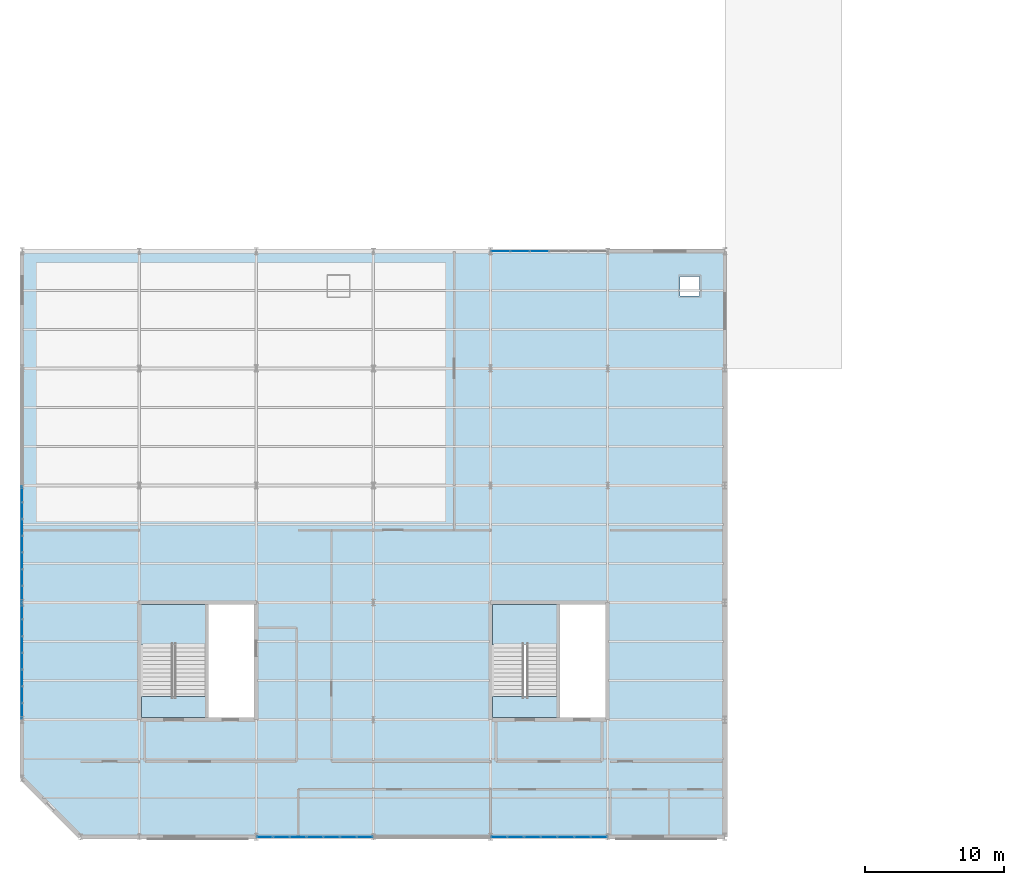
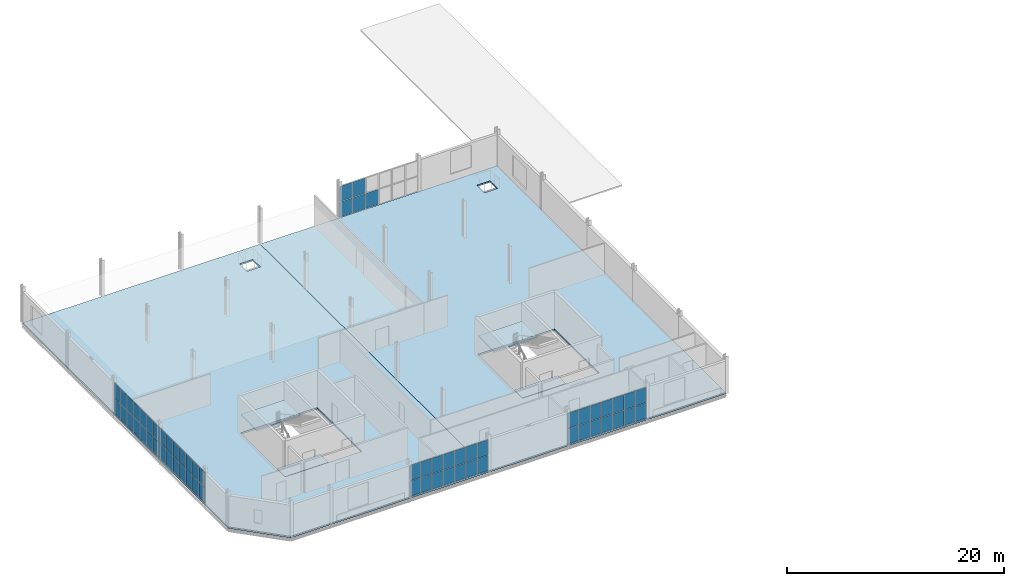
# One storey, part 36 of 69: 61 plates, 6 slabs, 7 elements without a shape of their own.
"""IFC4 building model written with IfcOpenShell, lengths in metres."""

from ifc_helpers import new_model, si_unit, direction, frame, origin, origin_2d, place, context, subcontext, project, spatial, polyline, rectangle, outline, extrude, material, layer, layer_set, type_object, element, aggregate, save


model = new_model("IFC4")

# Units and contexts
model_context = context("Model", 3, precision=1e-05, world=origin(), true_north=direction((0.0, 1.0)))
body_context = subcontext(model_context, "Body", "Model", "MODEL_VIEW")
ifc_project = project(units=[si_unit("LENGTHUNIT", "METRE"), si_unit("AREAUNIT", "SQUARE_METRE"), si_unit("VOLUMEUNIT", "CUBIC_METRE"), si_unit("PLANEANGLEUNIT", "RADIAN"), si_unit("MASSUNIT", "GRAM", prefix="KILO")], contexts=[model_context])

# Site, building, storey
site_placement = place(None, origin())
site = spatial("IfcSite", under=ifc_project, at=site_placement, CompositionType="ELEMENT")
building_placement = place(site_placement, origin())
building = spatial("IfcBuilding", under=site, at=building_placement, Name="Qalvenar Corner Mobility Hub", CompositionType="ELEMENT")
storey_placement = place(building_placement, frame((0.0, 0.0, 13.199951171875)))
storey = spatial("IfcBuildingStorey", under=building, at=storey_placement, Name="L03", CompositionType="ELEMENT", Elevation=13.199951171875)

# Curtain wall, plates
ifc_material_1 = material(Name="Anodised Aluminium and Low-E Glazing", Category="aluminium")
ifc_layer_1 = layer(ifc_material_1, 0.14990234375)
ifc_layer_set_1 = layer_set([ifc_layer_1], Name="Anodised Aluminium and Low-E Glazing")
curtain_wall_type = type_object("IfcCurtainWallType", Name="CW-CIV-84X40", PredefinedType="NOTDEFINED", material=ifc_layer_set_1)
curtain_wall_1_placement = place(storey_placement, origin())
curtain_wall_1 = element("IfcCurtainWall", 1, at=curtain_wall_1_placement, inside=storey, type_object=curtain_wall_type, Name="Glazed Curtain Wall CW-V3-L03-S2", PredefinedType="NOTDEFINED")
ifc_material_2 = material(Name="Solar-Control Low-E Double Glazing", Category="glass")
ifc_layer_2 = layer(ifc_material_2, 0.028076171875)
ifc_layer_set_2 = layer_set([ifc_layer_2], Name="Solar-Control Low-E Double Glazing")
plate_type = type_object("IfcPlateType", Name="PLT-CWP-GLZ1", PredefinedType="CURTAIN_PANEL", material=ifc_layer_set_2)
plate_1_placement = place(storey_placement, frame((17.4150390625, 0.0, 0.05517578125), z_axis=(0.0, 0.0, 1.0), x_axis=(1.0, 0.0, 0.0)))
plate_1 = element("IfcPlate", 2, at=plate_1_placement, type_object=plate_type, Name="CW-05 panel 1.1", PredefinedType="CURTAIN_PANEL", context=body_context, shape_type="SweptSolid", body=[
    extrude(rectangle(XDim=1.110107421875, YDim=0.028076171875, at=origin_2d()), origin(), (0.0, 0.0, 1.0), 1.702392578125),
])
plate_2_placement = place(storey_placement, frame((17.4150390625, 0.0, 1.8125), z_axis=(0.0, 0.0, 1.0), x_axis=(1.0, 0.0, 0.0)))
plate_2 = element("IfcPlate", 3, at=plate_2_placement, type_object=plate_type, Name="CW-05 panel 1.2", PredefinedType="CURTAIN_PANEL", context=body_context, shape_type="SweptSolid", body=[
    extrude(rectangle(XDim=1.110107421875, YDim=0.028076171875, at=origin_2d()), origin(), (0.0, 0.0, 1.0), 1.702392578125),
])
plate_3_placement = place(storey_placement, frame((18.60009765625, 0.0, 0.05517578125), z_axis=(0.0, 0.0, 1.0), x_axis=(1.0, 0.0, 0.0)))
plate_3 = element("IfcPlate", 4, at=plate_3_placement, type_object=plate_type, Name="CW-05 panel 2.1", PredefinedType="CURTAIN_PANEL", context=body_context, shape_type="SweptSolid", body=[
    extrude(rectangle(XDim=1.139892578125, YDim=0.028076171875, at=origin_2d()), origin(), (0.0, 0.0, 1.0), 1.702392578125),
])
plate_4_placement = place(storey_placement, frame((18.60009765625, 0.0, 1.8125), z_axis=(0.0, 0.0, 1.0), x_axis=(1.0, 0.0, 0.0)))
plate_4 = element("IfcPlate", 5, at=plate_4_placement, type_object=plate_type, Name="CW-05 panel 2.2", PredefinedType="CURTAIN_PANEL", context=body_context, shape_type="SweptSolid", body=[
    extrude(rectangle(XDim=1.139892578125, YDim=0.028076171875, at=origin_2d()), origin(), (0.0, 0.0, 1.0), 1.702392578125),
])
plate_5_placement = place(storey_placement, frame((19.800048828125, 0.0, 0.05517578125), z_axis=(0.0, 0.0, 1.0), x_axis=(1.0, 0.0, 0.0)))
plate_5 = element("IfcPlate", 6, at=plate_5_placement, type_object=plate_type, Name="CW-05 panel 3.1", PredefinedType="CURTAIN_PANEL", context=body_context, shape_type="SweptSolid", body=[
    extrude(rectangle(XDim=1.139892578125, YDim=0.028076171875, at=origin_2d()), origin(), (0.0, 0.0, 1.0), 1.702392578125),
])
plate_6_placement = place(storey_placement, frame((19.800048828125, 0.0, 1.8125), z_axis=(0.0, 0.0, 1.0), x_axis=(1.0, 0.0, 0.0)))
plate_6 = element("IfcPlate", 7, at=plate_6_placement, type_object=plate_type, Name="CW-05 panel 3.2", PredefinedType="CURTAIN_PANEL", context=body_context, shape_type="SweptSolid", body=[
    extrude(rectangle(XDim=1.139892578125, YDim=0.028076171875, at=origin_2d()), origin(), (0.0, 0.0, 1.0), 1.702392578125),
])
plate_7_placement = place(storey_placement, frame((21.0, 0.0, 0.05517578125), z_axis=(0.0, 0.0, 1.0), x_axis=(1.0, 0.0, 0.0)))
plate_7 = element("IfcPlate", 8, at=plate_7_placement, type_object=plate_type, Name="CW-05 panel 4.1", PredefinedType="CURTAIN_PANEL", context=body_context, shape_type="SweptSolid", body=[
    extrude(rectangle(XDim=1.139892578125, YDim=0.028076171875, at=origin_2d()), origin(), (0.0, 0.0, 1.0), 1.702392578125),
])
plate_8_placement = place(storey_placement, frame((21.0, 0.0, 1.8125), z_axis=(0.0, 0.0, 1.0), x_axis=(1.0, 0.0, 0.0)))
plate_8 = element("IfcPlate", 9, at=plate_8_placement, type_object=plate_type, Name="CW-05 panel 4.2", PredefinedType="CURTAIN_PANEL", context=body_context, shape_type="SweptSolid", body=[
    extrude(rectangle(XDim=1.139892578125, YDim=0.028076171875, at=origin_2d()), origin(), (0.0, 0.0, 1.0), 1.702392578125),
])
plate_9_placement = place(storey_placement, frame((22.199951171875, 0.0, 0.05517578125), z_axis=(0.0, 0.0, 1.0), x_axis=(1.0, 0.0, 0.0)))
plate_9 = element("IfcPlate", 10, at=plate_9_placement, type_object=plate_type, Name="CW-05 panel 5.1", PredefinedType="CURTAIN_PANEL", context=body_context, shape_type="SweptSolid", body=[
    extrude(rectangle(XDim=1.139892578125, YDim=0.028076171875, at=origin_2d()), origin(), (0.0, 0.0, 1.0), 1.702392578125),
])
plate_10_placement = place(storey_placement, frame((22.199951171875, 0.0, 1.8125), z_axis=(0.0, 0.0, 1.0), x_axis=(1.0, 0.0, 0.0)))
plate_10 = element("IfcPlate", 11, at=plate_10_placement, type_object=plate_type, Name="CW-05 panel 5.2", PredefinedType="CURTAIN_PANEL", context=body_context, shape_type="SweptSolid", body=[
    extrude(rectangle(XDim=1.139892578125, YDim=0.028076171875, at=origin_2d()), origin(), (0.0, 0.0, 1.0), 1.702392578125),
])
plate_11_placement = place(storey_placement, frame((23.39990234375, 0.0, 0.05517578125), z_axis=(0.0, 0.0, 1.0), x_axis=(1.0, 0.0, 0.0)))
plate_11 = element("IfcPlate", 12, at=plate_11_placement, type_object=plate_type, Name="CW-05 panel 6.1", PredefinedType="CURTAIN_PANEL", context=body_context, shape_type="SweptSolid", body=[
    extrude(rectangle(XDim=1.139892578125, YDim=0.028076171875, at=origin_2d()), origin(), (0.0, 0.0, 1.0), 1.702392578125),
])
plate_12_placement = place(storey_placement, frame((23.39990234375, 0.0, 1.8125), z_axis=(0.0, 0.0, 1.0), x_axis=(1.0, 0.0, 0.0)))
plate_12 = element("IfcPlate", 13, at=plate_12_placement, type_object=plate_type, Name="CW-05 panel 6.2", PredefinedType="CURTAIN_PANEL", context=body_context, shape_type="SweptSolid", body=[
    extrude(rectangle(XDim=1.139892578125, YDim=0.028076171875, at=origin_2d()), origin(), (0.0, 0.0, 1.0), 1.702392578125),
])
plate_13_placement = place(storey_placement, frame((24.5849609375, 0.0, 0.05517578125), z_axis=(0.0, 0.0, 1.0), x_axis=(1.0, 0.0, 0.0)))
plate_13 = element("IfcPlate", 14, at=plate_13_placement, type_object=plate_type, Name="CW-05 panel 7.1", PredefinedType="CURTAIN_PANEL", context=body_context, shape_type="SweptSolid", body=[
    extrude(rectangle(XDim=1.110107421875, YDim=0.028076171875, at=origin_2d()), origin(), (0.0, 0.0, 1.0), 1.702392578125),
])
plate_14_placement = place(storey_placement, frame((24.5849609375, 0.0, 1.8125), z_axis=(0.0, 0.0, 1.0), x_axis=(1.0, 0.0, 0.0)))
plate_14 = element("IfcPlate", 15, at=plate_14_placement, type_object=plate_type, Name="CW-05 panel 7.2", PredefinedType="CURTAIN_PANEL", context=body_context, shape_type="SweptSolid", body=[
    extrude(rectangle(XDim=1.110107421875, YDim=0.028076171875, at=origin_2d()), origin(), (0.0, 0.0, 1.0), 1.702392578125),
])
aggregate(curtain_wall_1, [plate_1, plate_2, plate_3, plate_4, plate_5, plate_6, plate_7, plate_8, plate_9, plate_10, plate_11, plate_12, plate_13, plate_14])

curtain_wall_2_placement = place(storey_placement, origin())
curtain_wall_2 = element("IfcCurtainWall", 16, at=curtain_wall_2_placement, inside=storey, type_object=curtain_wall_type, Name="Glazed Curtain Wall CW-V3-L03-S4", PredefinedType="NOTDEFINED")
plate_15_placement = place(storey_placement, frame((34.215087890625, 0.0, 0.05517578125), z_axis=(0.0, 0.0, 1.0), x_axis=(1.0, 0.0, 0.0)))
plate_15 = element("IfcPlate", 17, at=plate_15_placement, type_object=plate_type, Name="CW-05 panel 1.1", PredefinedType="CURTAIN_PANEL", context=body_context, shape_type="SweptSolid", body=[
    extrude(rectangle(XDim=1.110107421875, YDim=0.028076171875, at=origin_2d()), origin(), (0.0, 0.0, 1.0), 1.702392578125),
])
plate_16_placement = place(storey_placement, frame((34.215087890625, 0.0, 1.8125), z_axis=(0.0, 0.0, 1.0), x_axis=(1.0, 0.0, 0.0)))
plate_16 = element("IfcPlate", 18, at=plate_16_placement, type_object=plate_type, Name="CW-05 panel 1.2", PredefinedType="CURTAIN_PANEL", context=body_context, shape_type="SweptSolid", body=[
    extrude(rectangle(XDim=1.110107421875, YDim=0.028076171875, at=origin_2d()), origin(), (0.0, 0.0, 1.0), 1.702392578125),
])
plate_17_placement = place(storey_placement, frame((35.39990234375, 0.0, 0.05517578125), z_axis=(0.0, 0.0, 1.0), x_axis=(1.0, 0.0, 0.0)))
plate_17 = element("IfcPlate", 19, at=plate_17_placement, type_object=plate_type, Name="CW-05 panel 2.1", PredefinedType="CURTAIN_PANEL", context=body_context, shape_type="SweptSolid", body=[
    extrude(rectangle(XDim=1.139892578125, YDim=0.028076171875, at=origin_2d()), origin(), (0.0, 0.0, 1.0), 1.702392578125),
])
plate_18_placement = place(storey_placement, frame((35.39990234375, 0.0, 1.8125), z_axis=(0.0, 0.0, 1.0), x_axis=(1.0, 0.0, 0.0)))
plate_18 = element("IfcPlate", 20, at=plate_18_placement, type_object=plate_type, Name="CW-05 panel 2.2", PredefinedType="CURTAIN_PANEL", context=body_context, shape_type="SweptSolid", body=[
    extrude(rectangle(XDim=1.139892578125, YDim=0.028076171875, at=origin_2d()), origin(), (0.0, 0.0, 1.0), 1.702392578125),
])
plate_19_placement = place(storey_placement, frame((36.60009765625, 0.0, 0.05517578125), z_axis=(0.0, 0.0, 1.0), x_axis=(1.0, 0.0, 0.0)))
plate_19 = element("IfcPlate", 21, at=plate_19_placement, type_object=plate_type, Name="CW-05 panel 3.1", PredefinedType="CURTAIN_PANEL", context=body_context, shape_type="SweptSolid", body=[
    extrude(rectangle(XDim=1.139892578125, YDim=0.028076171875, at=origin_2d()), origin(), (0.0, 0.0, 1.0), 1.702392578125),
])
plate_20_placement = place(storey_placement, frame((36.60009765625, 0.0, 1.8125), z_axis=(0.0, 0.0, 1.0), x_axis=(1.0, 0.0, 0.0)))
plate_20 = element("IfcPlate", 22, at=plate_20_placement, type_object=plate_type, Name="CW-05 panel 3.2", PredefinedType="CURTAIN_PANEL", context=body_context, shape_type="SweptSolid", body=[
    extrude(rectangle(XDim=1.139892578125, YDim=0.028076171875, at=origin_2d()), origin(), (0.0, 0.0, 1.0), 1.702392578125),
])
plate_21_placement = place(storey_placement, frame((37.800048828125, 0.0, 0.05517578125), z_axis=(0.0, 0.0, 1.0), x_axis=(1.0, 0.0, 0.0)))
plate_21 = element("IfcPlate", 23, at=plate_21_placement, type_object=plate_type, Name="CW-05 panel 4.1", PredefinedType="CURTAIN_PANEL", context=body_context, shape_type="SweptSolid", body=[
    extrude(rectangle(XDim=1.139892578125, YDim=0.028076171875, at=origin_2d()), origin(), (0.0, 0.0, 1.0), 1.702392578125),
])
plate_22_placement = place(storey_placement, frame((37.800048828125, 0.0, 1.8125), z_axis=(0.0, 0.0, 1.0), x_axis=(1.0, 0.0, 0.0)))
plate_22 = element("IfcPlate", 24, at=plate_22_placement, type_object=plate_type, Name="CW-05 panel 4.2", PredefinedType="CURTAIN_PANEL", context=body_context, shape_type="SweptSolid", body=[
    extrude(rectangle(XDim=1.139892578125, YDim=0.028076171875, at=origin_2d()), origin(), (0.0, 0.0, 1.0), 1.702392578125),
])
plate_23_placement = place(storey_placement, frame((39.0, 0.0, 0.05517578125), z_axis=(0.0, 0.0, 1.0), x_axis=(1.0, 0.0, 0.0)))
plate_23 = element("IfcPlate", 25, at=plate_23_placement, type_object=plate_type, Name="CW-05 panel 5.1", PredefinedType="CURTAIN_PANEL", context=body_context, shape_type="SweptSolid", body=[
    extrude(rectangle(XDim=1.139892578125, YDim=0.028076171875, at=origin_2d()), origin(), (0.0, 0.0, 1.0), 1.702392578125),
])
plate_24_placement = place(storey_placement, frame((39.0, 0.0, 1.8125), z_axis=(0.0, 0.0, 1.0), x_axis=(1.0, 0.0, 0.0)))
plate_24 = element("IfcPlate", 26, at=plate_24_placement, type_object=plate_type, Name="CW-05 panel 5.2", PredefinedType="CURTAIN_PANEL", context=body_context, shape_type="SweptSolid", body=[
    extrude(rectangle(XDim=1.139892578125, YDim=0.028076171875, at=origin_2d()), origin(), (0.0, 0.0, 1.0), 1.702392578125),
])
plate_25_placement = place(storey_placement, frame((40.199951171875, 0.0, 0.05517578125), z_axis=(0.0, 0.0, 1.0), x_axis=(1.0, 0.0, 0.0)))
plate_25 = element("IfcPlate", 27, at=plate_25_placement, type_object=plate_type, Name="CW-05 panel 6.1", PredefinedType="CURTAIN_PANEL", context=body_context, shape_type="SweptSolid", body=[
    extrude(rectangle(XDim=1.139892578125, YDim=0.028076171875, at=origin_2d()), origin(), (0.0, 0.0, 1.0), 1.702392578125),
])
plate_26_placement = place(storey_placement, frame((40.199951171875, 0.0, 1.8125), z_axis=(0.0, 0.0, 1.0), x_axis=(1.0, 0.0, 0.0)))
plate_26 = element("IfcPlate", 28, at=plate_26_placement, type_object=plate_type, Name="CW-05 panel 6.2", PredefinedType="CURTAIN_PANEL", context=body_context, shape_type="SweptSolid", body=[
    extrude(rectangle(XDim=1.139892578125, YDim=0.028076171875, at=origin_2d()), origin(), (0.0, 0.0, 1.0), 1.702392578125),
])
plate_27_placement = place(storey_placement, frame((41.385009765625, 0.0, 0.05517578125), z_axis=(0.0, 0.0, 1.0), x_axis=(1.0, 0.0, 0.0)))
plate_27 = element("IfcPlate", 29, at=plate_27_placement, type_object=plate_type, Name="CW-05 panel 7.1", PredefinedType="CURTAIN_PANEL", context=body_context, shape_type="SweptSolid", body=[
    extrude(rectangle(XDim=1.110107421875, YDim=0.028076171875, at=origin_2d()), origin(), (0.0, 0.0, 1.0), 1.702392578125),
])
plate_28_placement = place(storey_placement, frame((41.385009765625, 0.0, 1.8125), z_axis=(0.0, 0.0, 1.0), x_axis=(1.0, 0.0, 0.0)))
plate_28 = element("IfcPlate", 30, at=plate_28_placement, type_object=plate_type, Name="CW-05 panel 7.2", PredefinedType="CURTAIN_PANEL", context=body_context, shape_type="SweptSolid", body=[
    extrude(rectangle(XDim=1.110107421875, YDim=0.028076171875, at=origin_2d()), origin(), (0.0, 0.0, 1.0), 1.702392578125),
])
aggregate(curtain_wall_2, [plate_15, plate_16, plate_17, plate_18, plate_19, plate_20, plate_21, plate_22, plate_23, plate_24, plate_25, plate_26, plate_27, plate_28])

curtain_wall_3_placement = place(storey_placement, origin())
curtain_wall_3 = element("IfcCurtainWall", 31, at=curtain_wall_3_placement, inside=storey, type_object=curtain_wall_type, Name="Glazed Curtain Wall CW-V3-L03-W1", PredefinedType="NOTDEFINED")
plate_29_placement = place(storey_placement, frame((0.0, 16.18505859375, 0.05517578125), z_axis=(0.0, 0.0, 1.0), x_axis=(0.0, -1.0, 0.0)))
plate_29 = element("IfcPlate", 32, at=plate_29_placement, type_object=plate_type, Name="CW-05 panel 1.1", PredefinedType="CURTAIN_PANEL", context=body_context, shape_type="SweptSolid", body=[
    extrude(rectangle(XDim=1.110107421875, YDim=0.028076171875, at=origin_2d()), origin(), (0.0, 0.0, 1.0), 1.702392578125),
])
plate_30_placement = place(storey_placement, frame((0.0, 16.18505859375, 1.8125), z_axis=(0.0, 0.0, 1.0), x_axis=(0.0, -1.0, 0.0)))
plate_30 = element("IfcPlate", 33, at=plate_30_placement, type_object=plate_type, Name="CW-05 panel 1.2", PredefinedType="CURTAIN_PANEL", context=body_context, shape_type="SweptSolid", body=[
    extrude(rectangle(XDim=1.110107421875, YDim=0.028076171875, at=origin_2d()), origin(), (0.0, 0.0, 1.0), 1.702392578125),
])
plate_31_placement = place(storey_placement, frame((0.0, 15.0, 0.05517578125), z_axis=(0.0, 0.0, 1.0), x_axis=(0.0, -1.0, 0.0)))
plate_31 = element("IfcPlate", 34, at=plate_31_placement, type_object=plate_type, Name="CW-05 panel 2.1", PredefinedType="CURTAIN_PANEL", context=body_context, shape_type="SweptSolid", body=[
    extrude(rectangle(XDim=1.139892578125, YDim=0.028076171875, at=origin_2d()), origin(), (0.0, 0.0, 1.0), 1.702392578125),
])
plate_32_placement = place(storey_placement, frame((0.0, 15.0, 1.8125), z_axis=(0.0, 0.0, 1.0), x_axis=(0.0, -1.0, 0.0)))
plate_32 = element("IfcPlate", 35, at=plate_32_placement, type_object=plate_type, Name="CW-05 panel 2.2", PredefinedType="CURTAIN_PANEL", context=body_context, shape_type="SweptSolid", body=[
    extrude(rectangle(XDim=1.139892578125, YDim=0.028076171875, at=origin_2d()), origin(), (0.0, 0.0, 1.0), 1.702392578125),
])
plate_33_placement = place(storey_placement, frame((0.0, 13.800048828125, 0.05517578125), z_axis=(0.0, 0.0, 1.0), x_axis=(0.0, -1.0, 0.0)))
plate_33 = element("IfcPlate", 36, at=plate_33_placement, type_object=plate_type, Name="CW-05 panel 3.1", PredefinedType="CURTAIN_PANEL", context=body_context, shape_type="SweptSolid", body=[
    extrude(rectangle(XDim=1.139892578125, YDim=0.028076171875, at=origin_2d()), origin(), (0.0, 0.0, 1.0), 1.702392578125),
])
plate_34_placement = place(storey_placement, frame((0.0, 13.800048828125, 1.8125), z_axis=(0.0, 0.0, 1.0), x_axis=(0.0, -1.0, 0.0)))
plate_34 = element("IfcPlate", 37, at=plate_34_placement, type_object=plate_type, Name="CW-05 panel 3.2", PredefinedType="CURTAIN_PANEL", context=body_context, shape_type="SweptSolid", body=[
    extrude(rectangle(XDim=1.139892578125, YDim=0.028076171875, at=origin_2d()), origin(), (0.0, 0.0, 1.0), 1.702392578125),
])
plate_35_placement = place(storey_placement, frame((0.0, 12.60009765625, 0.05517578125), z_axis=(0.0, 0.0, 1.0), x_axis=(0.0, -1.0, 0.0)))
plate_35 = element("IfcPlate", 38, at=plate_35_placement, type_object=plate_type, Name="CW-05 panel 4.1", PredefinedType="CURTAIN_PANEL", context=body_context, shape_type="SweptSolid", body=[
    extrude(rectangle(XDim=1.139892578125, YDim=0.028076171875, at=origin_2d()), origin(), (0.0, 0.0, 1.0), 1.702392578125),
])
plate_36_placement = place(storey_placement, frame((0.0, 12.60009765625, 1.8125), z_axis=(0.0, 0.0, 1.0), x_axis=(0.0, -1.0, 0.0)))
plate_36 = element("IfcPlate", 39, at=plate_36_placement, type_object=plate_type, Name="CW-05 panel 4.2", PredefinedType="CURTAIN_PANEL", context=body_context, shape_type="SweptSolid", body=[
    extrude(rectangle(XDim=1.139892578125, YDim=0.028076171875, at=origin_2d()), origin(), (0.0, 0.0, 1.0), 1.702392578125),
])
plate_37_placement = place(storey_placement, frame((0.0, 11.39990234375, 0.05517578125), z_axis=(0.0, 0.0, 1.0), x_axis=(0.0, -1.0, 0.0)))
plate_37 = element("IfcPlate", 40, at=plate_37_placement, type_object=plate_type, Name="CW-05 panel 5.1", PredefinedType="CURTAIN_PANEL", context=body_context, shape_type="SweptSolid", body=[
    extrude(rectangle(XDim=1.139892578125, YDim=0.028076171875, at=origin_2d()), origin(), (0.0, 0.0, 1.0), 1.702392578125),
])
plate_38_placement = place(storey_placement, frame((0.0, 11.39990234375, 1.8125), z_axis=(0.0, 0.0, 1.0), x_axis=(0.0, -1.0, 0.0)))
plate_38 = element("IfcPlate", 41, at=plate_38_placement, type_object=plate_type, Name="CW-05 panel 5.2", PredefinedType="CURTAIN_PANEL", context=body_context, shape_type="SweptSolid", body=[
    extrude(rectangle(XDim=1.139892578125, YDim=0.028076171875, at=origin_2d()), origin(), (0.0, 0.0, 1.0), 1.702392578125),
])
plate_39_placement = place(storey_placement, frame((0.0, 10.199951171875, 0.05517578125), z_axis=(0.0, 0.0, 1.0), x_axis=(0.0, -1.0, 0.0)))
plate_39 = element("IfcPlate", 42, at=plate_39_placement, type_object=plate_type, Name="CW-05 panel 6.1", PredefinedType="CURTAIN_PANEL", context=body_context, shape_type="SweptSolid", body=[
    extrude(rectangle(XDim=1.139892578125, YDim=0.028076171875, at=origin_2d()), origin(), (0.0, 0.0, 1.0), 1.702392578125),
])
plate_40_placement = place(storey_placement, frame((0.0, 10.199951171875, 1.8125), z_axis=(0.0, 0.0, 1.0), x_axis=(0.0, -1.0, 0.0)))
plate_40 = element("IfcPlate", 43, at=plate_40_placement, type_object=plate_type, Name="CW-05 panel 6.2", PredefinedType="CURTAIN_PANEL", context=body_context, shape_type="SweptSolid", body=[
    extrude(rectangle(XDim=1.139892578125, YDim=0.028076171875, at=origin_2d()), origin(), (0.0, 0.0, 1.0), 1.702392578125),
])
plate_41_placement = place(storey_placement, frame((0.0, 9.014892578125, 0.05517578125), z_axis=(0.0, 0.0, 1.0), x_axis=(0.0, -1.0, 0.0)))
plate_41 = element("IfcPlate", 44, at=plate_41_placement, type_object=plate_type, Name="CW-05 panel 7.1", PredefinedType="CURTAIN_PANEL", context=body_context, shape_type="SweptSolid", body=[
    extrude(rectangle(XDim=1.110107421875, YDim=0.028076171875, at=origin_2d()), origin(), (0.0, 0.0, 1.0), 1.702392578125),
])
plate_42_placement = place(storey_placement, frame((0.0, 9.014892578125, 1.8125), z_axis=(0.0, 0.0, 1.0), x_axis=(0.0, -1.0, 0.0)))
plate_42 = element("IfcPlate", 45, at=plate_42_placement, type_object=plate_type, Name="CW-05 panel 7.2", PredefinedType="CURTAIN_PANEL", context=body_context, shape_type="SweptSolid", body=[
    extrude(rectangle(XDim=1.110107421875, YDim=0.028076171875, at=origin_2d()), origin(), (0.0, 0.0, 1.0), 1.702392578125),
])
aggregate(curtain_wall_3, [plate_29, plate_30, plate_31, plate_32, plate_33, plate_34, plate_35, plate_36, plate_37, plate_38, plate_39, plate_40, plate_41, plate_42])

curtain_wall_4_placement = place(storey_placement, origin())
curtain_wall_4 = element("IfcCurtainWall", 46, at=curtain_wall_4_placement, inside=storey, type_object=curtain_wall_type, Name="Glazed Curtain Wall CW-V3-L03-W2", PredefinedType="NOTDEFINED")
plate_43_placement = place(storey_placement, frame((0.0, 24.5849609375, 0.05517578125), z_axis=(0.0, 0.0, 1.0), x_axis=(0.0, -1.0, 0.0)))
plate_43 = element("IfcPlate", 47, at=plate_43_placement, type_object=plate_type, Name="CW-05 panel 1.1", PredefinedType="CURTAIN_PANEL", context=body_context, shape_type="SweptSolid", body=[
    extrude(rectangle(XDim=1.110107421875, YDim=0.028076171875, at=origin_2d()), origin(), (0.0, 0.0, 1.0), 1.702392578125),
])
plate_44_placement = place(storey_placement, frame((0.0, 24.5849609375, 1.8125), z_axis=(0.0, 0.0, 1.0), x_axis=(0.0, -1.0, 0.0)))
plate_44 = element("IfcPlate", 48, at=plate_44_placement, type_object=plate_type, Name="CW-05 panel 1.2", PredefinedType="CURTAIN_PANEL", context=body_context, shape_type="SweptSolid", body=[
    extrude(rectangle(XDim=1.110107421875, YDim=0.028076171875, at=origin_2d()), origin(), (0.0, 0.0, 1.0), 1.702392578125),
])
plate_45_placement = place(storey_placement, frame((0.0, 23.39990234375, 0.05517578125), z_axis=(0.0, 0.0, 1.0), x_axis=(0.0, -1.0, 0.0)))
plate_45 = element("IfcPlate", 49, at=plate_45_placement, type_object=plate_type, Name="CW-05 panel 2.1", PredefinedType="CURTAIN_PANEL", context=body_context, shape_type="SweptSolid", body=[
    extrude(rectangle(XDim=1.139892578125, YDim=0.028076171875, at=origin_2d()), origin(), (0.0, 0.0, 1.0), 1.702392578125),
])
plate_46_placement = place(storey_placement, frame((0.0, 23.39990234375, 1.8125), z_axis=(0.0, 0.0, 1.0), x_axis=(0.0, -1.0, 0.0)))
plate_46 = element("IfcPlate", 50, at=plate_46_placement, type_object=plate_type, Name="CW-05 panel 2.2", PredefinedType="CURTAIN_PANEL", context=body_context, shape_type="SweptSolid", body=[
    extrude(rectangle(XDim=1.139892578125, YDim=0.028076171875, at=origin_2d()), origin(), (0.0, 0.0, 1.0), 1.702392578125),
])
plate_47_placement = place(storey_placement, frame((0.0, 22.199951171875, 0.05517578125), z_axis=(0.0, 0.0, 1.0), x_axis=(0.0, -1.0, 0.0)))
plate_47 = element("IfcPlate", 51, at=plate_47_placement, type_object=plate_type, Name="CW-05 panel 3.1", PredefinedType="CURTAIN_PANEL", context=body_context, shape_type="SweptSolid", body=[
    extrude(rectangle(XDim=1.139892578125, YDim=0.028076171875, at=origin_2d()), origin(), (0.0, 0.0, 1.0), 1.702392578125),
])
plate_48_placement = place(storey_placement, frame((0.0, 22.199951171875, 1.8125), z_axis=(0.0, 0.0, 1.0), x_axis=(0.0, -1.0, 0.0)))
plate_48 = element("IfcPlate", 52, at=plate_48_placement, type_object=plate_type, Name="CW-05 panel 3.2", PredefinedType="CURTAIN_PANEL", context=body_context, shape_type="SweptSolid", body=[
    extrude(rectangle(XDim=1.139892578125, YDim=0.028076171875, at=origin_2d()), origin(), (0.0, 0.0, 1.0), 1.702392578125),
])
plate_49_placement = place(storey_placement, frame((0.0, 21.0, 0.05517578125), z_axis=(0.0, 0.0, 1.0), x_axis=(0.0, -1.0, 0.0)))
plate_49 = element("IfcPlate", 53, at=plate_49_placement, type_object=plate_type, Name="CW-05 panel 4.1", PredefinedType="CURTAIN_PANEL", context=body_context, shape_type="SweptSolid", body=[
    extrude(rectangle(XDim=1.139892578125, YDim=0.028076171875, at=origin_2d()), origin(), (0.0, 0.0, 1.0), 1.702392578125),
])
plate_50_placement = place(storey_placement, frame((0.0, 21.0, 1.8125), z_axis=(0.0, 0.0, 1.0), x_axis=(0.0, -1.0, 0.0)))
plate_50 = element("IfcPlate", 54, at=plate_50_placement, type_object=plate_type, Name="CW-05 panel 4.2", PredefinedType="CURTAIN_PANEL", context=body_context, shape_type="SweptSolid", body=[
    extrude(rectangle(XDim=1.139892578125, YDim=0.028076171875, at=origin_2d()), origin(), (0.0, 0.0, 1.0), 1.702392578125),
])
plate_51_placement = place(storey_placement, frame((0.0, 19.800048828125, 0.05517578125), z_axis=(0.0, 0.0, 1.0), x_axis=(0.0, -1.0, 0.0)))
plate_51 = element("IfcPlate", 55, at=plate_51_placement, type_object=plate_type, Name="CW-05 panel 5.1", PredefinedType="CURTAIN_PANEL", context=body_context, shape_type="SweptSolid", body=[
    extrude(rectangle(XDim=1.139892578125, YDim=0.028076171875, at=origin_2d()), origin(), (0.0, 0.0, 1.0), 1.702392578125),
])
plate_52_placement = place(storey_placement, frame((0.0, 19.800048828125, 1.8125), z_axis=(0.0, 0.0, 1.0), x_axis=(0.0, -1.0, 0.0)))
plate_52 = element("IfcPlate", 56, at=plate_52_placement, type_object=plate_type, Name="CW-05 panel 5.2", PredefinedType="CURTAIN_PANEL", context=body_context, shape_type="SweptSolid", body=[
    extrude(rectangle(XDim=1.139892578125, YDim=0.028076171875, at=origin_2d()), origin(), (0.0, 0.0, 1.0), 1.702392578125),
])
plate_53_placement = place(storey_placement, frame((0.0, 18.60009765625, 0.05517578125), z_axis=(0.0, 0.0, 1.0), x_axis=(0.0, -1.0, 0.0)))
plate_53 = element("IfcPlate", 57, at=plate_53_placement, type_object=plate_type, Name="CW-05 panel 6.1", PredefinedType="CURTAIN_PANEL", context=body_context, shape_type="SweptSolid", body=[
    extrude(rectangle(XDim=1.139892578125, YDim=0.028076171875, at=origin_2d()), origin(), (0.0, 0.0, 1.0), 1.702392578125),
])
plate_54_placement = place(storey_placement, frame((0.0, 18.60009765625, 1.8125), z_axis=(0.0, 0.0, 1.0), x_axis=(0.0, -1.0, 0.0)))
plate_54 = element("IfcPlate", 58, at=plate_54_placement, type_object=plate_type, Name="CW-05 panel 6.2", PredefinedType="CURTAIN_PANEL", context=body_context, shape_type="SweptSolid", body=[
    extrude(rectangle(XDim=1.139892578125, YDim=0.028076171875, at=origin_2d()), origin(), (0.0, 0.0, 1.0), 1.702392578125),
])
plate_55_placement = place(storey_placement, frame((0.0, 17.4150390625, 0.05517578125), z_axis=(0.0, 0.0, 1.0), x_axis=(0.0, -1.0, 0.0)))
plate_55 = element("IfcPlate", 59, at=plate_55_placement, type_object=plate_type, Name="CW-05 panel 7.1", PredefinedType="CURTAIN_PANEL", context=body_context, shape_type="SweptSolid", body=[
    extrude(rectangle(XDim=1.110107421875, YDim=0.028076171875, at=origin_2d()), origin(), (0.0, 0.0, 1.0), 1.702392578125),
])
plate_56_placement = place(storey_placement, frame((0.0, 17.4150390625, 1.8125), z_axis=(0.0, 0.0, 1.0), x_axis=(0.0, -1.0, 0.0)))
plate_56 = element("IfcPlate", 60, at=plate_56_placement, type_object=plate_type, Name="CW-05 panel 7.2", PredefinedType="CURTAIN_PANEL", context=body_context, shape_type="SweptSolid", body=[
    extrude(rectangle(XDim=1.110107421875, YDim=0.028076171875, at=origin_2d()), origin(), (0.0, 0.0, 1.0), 1.702392578125),
])
aggregate(curtain_wall_4, [plate_43, plate_44, plate_45, plate_46, plate_47, plate_48, plate_49, plate_50, plate_51, plate_52, plate_53, plate_54, plate_55, plate_56])

curtain_wall_5_placement = place(storey_placement, origin())
curtain_wall_5 = element("IfcCurtainWall", 61, at=curtain_wall_5_placement, inside=storey, type_object=curtain_wall_type, Name="Glazed Curtain Wall CW-V3-L03-N4", PredefinedType="NOTDEFINED")
plate_57_placement = place(storey_placement, frame((37.10009765625, 42.0, 0.05517578125), z_axis=(0.0, 0.0, 1.0), x_axis=(-1.0, 0.0, 0.0)))
plate_57 = element("IfcPlate", 62, at=plate_57_placement, type_object=plate_type, Name="CW-05 panel 4.1", PredefinedType="CURTAIN_PANEL", context=body_context, shape_type="SweptSolid", body=[
    extrude(rectangle(XDim=1.340087890625, YDim=0.028076171875, at=origin_2d()), origin(), (0.0, 0.0, 1.0), 1.702392578125),
])
plate_58_placement = place(storey_placement, frame((35.699951171875, 42.0, 0.05517578125), z_axis=(0.0, 0.0, 1.0), x_axis=(-1.0, 0.0, 0.0)))
plate_58 = element("IfcPlate", 63, at=plate_58_placement, type_object=plate_type, Name="CW-05 panel 5.1", PredefinedType="CURTAIN_PANEL", context=body_context, shape_type="SweptSolid", body=[
    extrude(rectangle(XDim=1.340087890625, YDim=0.028076171875, at=origin_2d()), origin(), (0.0, 0.0, 1.0), 1.702392578125),
])
plate_59_placement = place(storey_placement, frame((35.699951171875, 42.0, 1.8125), z_axis=(0.0, 0.0, 1.0), x_axis=(-1.0, 0.0, 0.0)))
plate_59 = element("IfcPlate", 64, at=plate_59_placement, type_object=plate_type, Name="CW-05 panel 5.2", PredefinedType="CURTAIN_PANEL", context=body_context, shape_type="SweptSolid", body=[
    extrude(rectangle(XDim=1.340087890625, YDim=0.028076171875, at=origin_2d()), origin(), (0.0, 0.0, 1.0), 1.702392578125),
])
plate_60_placement = place(storey_placement, frame((34.31494140625, 42.0, 0.05517578125), z_axis=(0.0, 0.0, 1.0), x_axis=(-1.0, 0.0, 0.0)))
plate_60 = element("IfcPlate", 65, at=plate_60_placement, type_object=plate_type, Name="CW-05 panel 6.1", PredefinedType="CURTAIN_PANEL", context=body_context, shape_type="SweptSolid", body=[
    extrude(rectangle(XDim=1.31005859375, YDim=0.028076171875, at=origin_2d()), origin(), (0.0, 0.0, 1.0), 1.702392578125),
])
plate_61_placement = place(storey_placement, frame((34.31494140625, 42.0, 1.8125), z_axis=(0.0, 0.0, 1.0), x_axis=(-1.0, 0.0, 0.0)))
plate_61 = element("IfcPlate", 66, at=plate_61_placement, type_object=plate_type, Name="CW-05 panel 6.2", PredefinedType="CURTAIN_PANEL", context=body_context, shape_type="SweptSolid", body=[
    extrude(rectangle(XDim=1.31005859375, YDim=0.028076171875, at=origin_2d()), origin(), (0.0, 0.0, 1.0), 1.702392578125),
])
aggregate(curtain_wall_5, [plate_57, plate_58, plate_59, plate_60, plate_61])

# Slabs
ifc_material_3 = material(Name="Concrete C35/45", Category="concrete")
ifc_layer_3 = layer(ifc_material_3, 0.179931640625)
ifc_layer_set_3 = layer_set([ifc_layer_3], Name="Concrete C35/45")
slab_type_1 = type_object("IfcSlabType", Name="SLB-COMP180", PredefinedType="FLOOR", material=ifc_layer_set_3)
slab_1_placement = place(storey_placement, frame((0.0, 0.0, -0.179931640625)))
element("IfcSlab", 67, at=slab_1_placement, inside=storey, type_object=slab_type_1, Name="Composite Slab V3-A-L03", PredefinedType="FLOOR", context=body_context, shape_type="SweptSolid", body=[
    extrude(outline(polyline([(4.199951171875, 0.0), (25.199951171875, 0.0), (25.199951171875, 42.0), (0.0, 42.0), (0.0, 4.199951171875), (4.199951171875, 0.0)]), holes=[polyline([(8.530029296875, 8.530029296875), (16.669921875, 8.530029296875), (16.669921875, 16.669921875), (8.530029296875, 16.669921875), (8.530029296875, 8.530029296875)]), polyline([(22.0, 38.800048828125), (23.39990234375, 38.800048828125), (23.39990234375, 40.199951171875), (22.0, 40.199951171875), (22.0, 38.800048828125)])]), origin(), (0.0, 0.0, 1.0), 0.179931640625),
])
slab_2_placement = place(storey_placement, frame((0.0, 0.0, -0.179931640625)))
element("IfcSlab", 68, at=slab_2_placement, inside=storey, type_object=slab_type_1, Name="Composite Slab V3-B-L03", PredefinedType="FLOOR", context=body_context, shape_type="SweptSolid", body=[
    extrude(outline(polyline([(25.199951171875, 0.0), (50.39990234375, 0.0), (50.39990234375, 42.0), (25.199951171875, 42.0), (25.199951171875, 0.0)]), holes=[polyline([(33.72998046875, 8.530029296875), (41.8701171875, 8.530029296875), (41.8701171875, 16.669921875), (33.72998046875, 16.669921875), (33.72998046875, 8.530029296875)]), polyline([(47.199951171875, 38.800048828125), (48.60009765625, 38.800048828125), (48.60009765625, 40.199951171875), (47.199951171875, 40.199951171875), (47.199951171875, 38.800048828125)])]), origin(), (0.0, 0.0, 1.0), 0.179931640625),
])

# Stair, slab
stair_type_1 = type_object("IfcStairType", Name="STR-220-H42", PredefinedType="HALF_TURN_STAIR", material=ifc_material_3)
stair_1_placement = place(storey_placement, origin())
stair_1 = element("IfcStair", 69, at=stair_1_placement, inside=storey, type_object=stair_type_1, Name="Exit Stair ST1 L03-L04", PredefinedType="HALF_TURN_STAIR")
ifc_layer_4 = layer(ifc_material_3, 0.179931640625)
ifc_layer_set_4 = layer_set([ifc_layer_4], Name="Concrete C35/45")
slab_type_2 = type_object("IfcSlabType", Name="SLB-LND180", PredefinedType="LANDING", material=ifc_layer_set_4)
slab_3_placement = place(storey_placement, frame((0.0, 0.0, 1.920166015625)))
slab_3 = element("IfcSlab", 70, at=slab_3_placement, type_object=slab_type_2, Name="ST1 landing 1", PredefinedType="LANDING", context=body_context, shape_type="SweptSolid", body=[
    extrude(outline(polyline([(8.5400390625, 13.75), (13.179931640625, 13.75), (13.179931640625, 16.659912109375), (8.5400390625, 16.659912109375), (8.5400390625, 13.75)])), origin(), (0.0, 0.0, 1.0), 0.179931640625),
])
aggregate(stair_1, [slab_3])

stair_type_2 = type_object("IfcStairType", Name="STR-200-H42", PredefinedType="HALF_TURN_STAIR", material=ifc_material_3)
stair_2_placement = place(storey_placement, origin())
stair_2 = element("IfcStair", 71, at=stair_2_placement, inside=storey, type_object=stair_type_2, Name="Exit Stair ST2 L03-L04", PredefinedType="HALF_TURN_STAIR")
slab_4_placement = place(storey_placement, frame((0.0, 0.0, 1.920166015625)))
slab_4 = element("IfcSlab", 72, at=slab_4_placement, type_object=slab_type_2, Name="ST2 landing 1", PredefinedType="LANDING", context=body_context, shape_type="SweptSolid", body=[
    extrude(outline(polyline([(33.739990234375, 13.75), (38.3798828125, 13.75), (38.3798828125, 16.659912109375), (33.739990234375, 16.659912109375), (33.739990234375, 13.75)])), origin(), (0.0, 0.0, 1.0), 0.179931640625),
])
aggregate(stair_2, [slab_4])

# Slabs
ifc_layer_5 = layer(ifc_material_3, 0.175048828125)
ifc_layer_set_5 = layer_set([ifc_layer_5], Name="Concrete C35/45")
slab_type_3 = type_object("IfcSlabType", Name="SLB-LND200", PredefinedType="LANDING", material=ifc_layer_set_5)
slab_5_placement = place(storey_placement, frame((0.0, 0.0, -0.175048828125)))
element("IfcSlab", 73, at=slab_5_placement, inside=storey, type_object=slab_type_3, Name="Core Stair Arrival Landing C1-L03", PredefinedType="LANDING", context=body_context, shape_type="SweptSolid", body=[
    extrude(outline(polyline([(8.550048828125, 8.550048828125), (13.169921875, 8.550048828125), (13.169921875, 10.050048828125), (8.550048828125, 10.050048828125), (8.550048828125, 8.550048828125)])), origin(), (0.0, 0.0, 1.0), 0.175048828125),
])
slab_6_placement = place(storey_placement, frame((0.0, 0.0, -0.175048828125)))
element("IfcSlab", 74, at=slab_6_placement, inside=storey, type_object=slab_type_3, Name="Core Stair Arrival Landing C2-L03", PredefinedType="LANDING", context=body_context, shape_type="SweptSolid", body=[
    extrude(outline(polyline([(33.75, 8.550048828125), (38.3701171875, 8.550048828125), (38.3701171875, 10.050048828125), (33.75, 10.050048828125), (33.75, 8.550048828125)])), origin(), (0.0, 0.0, 1.0), 0.175048828125),
])

save(model, "model.ifc")
